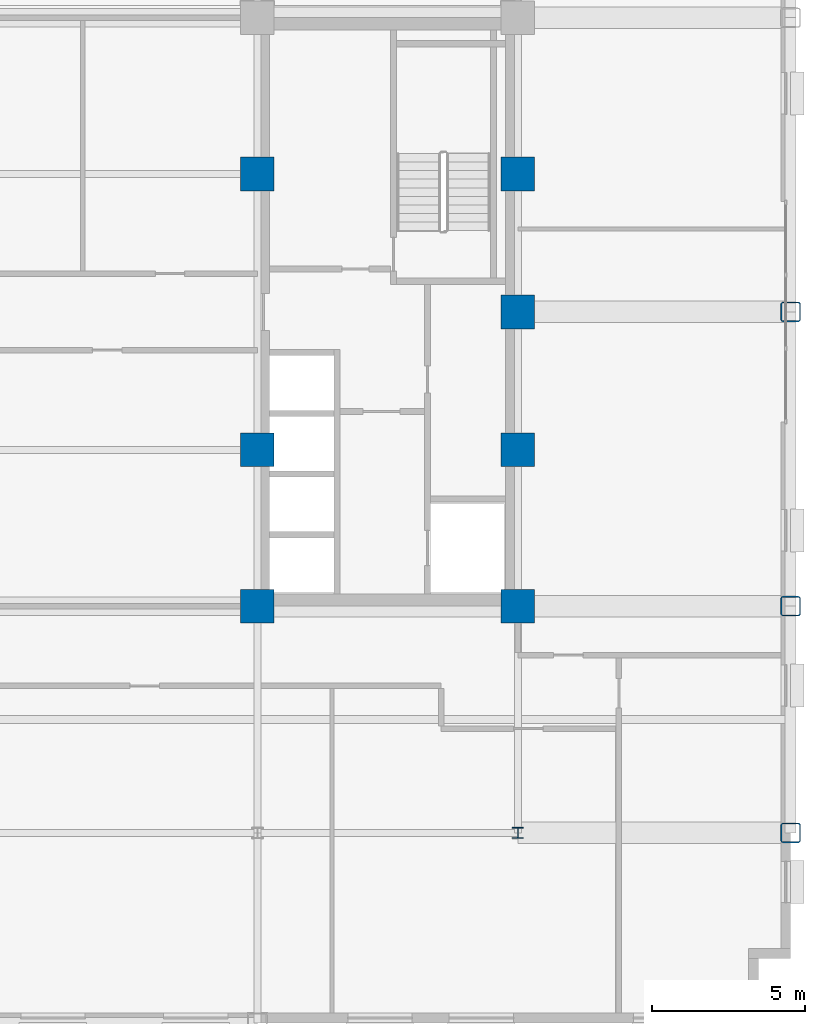
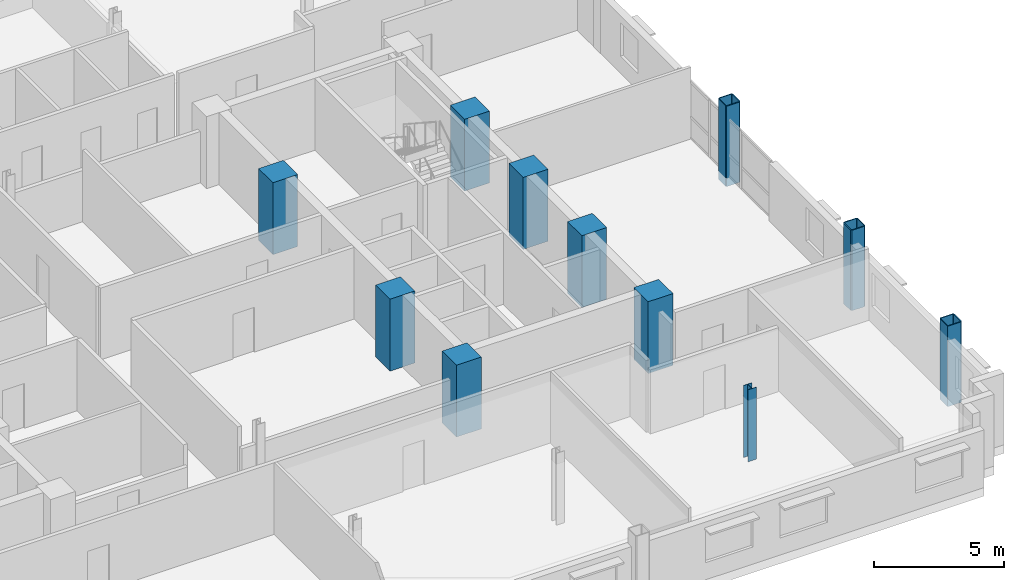
# One storey, part 2 of 16: 11 columns.
"""IFC4 building model written with IfcOpenShell, lengths in metres."""

from ifc_helpers import new_model, si_unit, direction, frame, origin, origin_2d, place, context, subcontext, project, spatial, rectangle, hollow_rectangle, i_section, extrude, material, material_profile, profile_set, type_object, element, save


model = new_model("IFC4")

# Units and contexts
model_context = context("Model", 3, precision=1e-05, world=origin(), true_north=direction((0.0, 1.0)))
body_context = subcontext(model_context, "Body", "Model", "MODEL_VIEW")
ifc_project = project(units=[si_unit("LENGTHUNIT", "METRE"), si_unit("AREAUNIT", "SQUARE_METRE"), si_unit("VOLUMEUNIT", "CUBIC_METRE"), si_unit("PLANEANGLEUNIT", "RADIAN"), si_unit("MASSUNIT", "GRAM", prefix="KILO")], contexts=[model_context])

# Site, building, storey
site_placement = place(None, origin())
site = spatial("IfcSite", under=ifc_project, at=site_placement, CompositionType="ELEMENT")
building_placement = place(site_placement, origin())
building = spatial("IfcBuilding", under=site, at=building_placement, Name="Nuvemarco Arch Tower", CompositionType="ELEMENT")
storey_placement = place(building_placement, frame((0.0, 0.0, 116.550048828125)))
storey = spatial("IfcBuildingStorey", under=building, at=storey_placement, Name="L30", CompositionType="ELEMENT", Elevation=116.550048828125)

# Columns
ifc_material_1 = material(Name="Concrete C60/75", Category="concrete")
ifc_material_profile_1 = material_profile(ifc_material_1, rectangle(XDim=1.10009765625, YDim=1.10009765625, at=origin_2d()), Name="RC-COL-1100x1100")
ifc_profile_set_1 = profile_set([ifc_material_profile_1], Name="Concrete C60/75")
column_type_1 = type_object("IfcColumnType", Name="COL-CORE-1100", PredefinedType="COLUMN", material=ifc_profile_set_1)
for number, where, z_axis, x_axis, name in (
    (1, (9.0, -9.60009765625, 0.0), (0.0, 0.0, 1.0), (1.0, 0.0, 0.0), "L30 column CC_+9.0_-9.6"),
    (2, (9.0, -4.5, 0.0), (0.0, 0.0, 1.0), (1.0, 0.0, 0.0), "L30 column CC_+9.0_-4.5"),
    (3, (9.0, 4.5, 0.0), (0.0, 0.0, 1.0), (1.0, 0.0, 0.0), "L30 column CC_+9.0_+4.5"),
    (4, (17.5, -9.60009765625, 0.0), (0.0, 0.0, 1.0), (1.0, 0.0, 0.0), "L30 column CC_+17.5_-9.6"),
    (5, (17.5, -4.5, 0.0), (0.0, 0.0, 1.0), (1.0, 0.0, 0.0), "L30 column CC_+17.5_-4.5"),
    (6, (17.5, 4.5, 0.0), (0.0, 0.0, 1.0), (1.0, 0.0, 0.0), "L30 column CC_+17.5_+4.5"),
    (7, (17.5, 0.0, 0.0), (0.0, 0.0, 1.0), (1.0, 0.0, 0.0), "L30 column CC_+17.5_+0.0"),
):
    element("IfcColumn", number, at=place(storey_placement, frame(where, z_axis=z_axis, x_axis=x_axis)), inside=storey, type_object=column_type_1, Name=name, PredefinedType="COLUMN", context=body_context, shape_type="SweptSolid", body=[
        extrude(rectangle(XDim=1.10009765625, YDim=1.10009765625, at=origin_2d()), origin(), (0.0, 0.0, 1.0), 3.369873046875),
    ])
ifc_material_2 = material(Name="Steel S355", Category="steel")
ifc_material_profile_2 = material_profile(ifc_material_2, hollow_rectangle(XDim=0.64990234375, YDim=0.64990234375, WallThickness=0.0400390625, InnerFilletRadius=0.0400390625, OuterFilletRadius=0.080078125, at=origin_2d()), Name="SHS650x650x40")
ifc_profile_set_2 = profile_set([ifc_material_profile_2], Name="Steel S355")
column_type_2 = type_object("IfcColumnType", Name="COL-EXO-650", PredefinedType="COLUMN", material=ifc_profile_set_2)
for number, where, z_axis, x_axis, name in (
    (8, (26.39990234375, -17.0, -0.400146484375), (0.0, 0.0, 1.0), (1.0, 0.0, 0.0), "L30 column CX_+26.4_-17.0"),
    (9, (26.39990234375, -9.60009765625, -0.400146484375), (0.0, 0.0, 1.0), (1.0, 0.0, 0.0), "L30 column CX_+26.4_-9.6"),
    (10, (26.39990234375, 0.0, -0.400146484375), (0.0, 0.0, 1.0), (1.0, 0.0, 0.0), "L30 column CX_+26.4_+0.0"),
):
    element("IfcColumn", number, at=place(storey_placement, frame(where, z_axis=z_axis, x_axis=x_axis)), inside=storey, type_object=column_type_2, Name=name, PredefinedType="COLUMN", context=body_context, shape_type="SweptSolid", body=[
        extrude(hollow_rectangle(XDim=0.64990234375, YDim=0.64990234375, WallThickness=0.0400390625, InnerFilletRadius=0.0400390625, OuterFilletRadius=0.080078125, at=origin_2d()), origin(), (0.0, 0.0, 1.0), 3.77001953125),
    ])
ifc_material_profile_3 = material_profile(ifc_material_2, i_section(OverallWidth=0.360107421875, OverallDepth=0.360107421875, WebThickness=0.0205078125, FlangeThickness=0.0205078125, FilletRadius=0.01806640625, at=origin_2d()), Name="HP360x174")
ifc_profile_set_3 = profile_set([ifc_material_profile_3], Name="Steel S355")
column_type_3 = type_object("IfcColumnType", Name="COL-STL-HP360", PredefinedType="COLUMN", material=ifc_profile_set_3)
column_placement = place(storey_placement, frame((17.5, -17.0, 0.0), z_axis=(0.0, 0.0, 1.0), x_axis=(1.0, 0.0, 0.0)))
element("IfcColumn", 11, at=column_placement, inside=storey, type_object=column_type_3, Name="L30 column CI_+17.5_-17.0", PredefinedType="COLUMN", context=body_context, shape_type="SweptSolid", body=[
    extrude(i_section(OverallWidth=0.360107421875, OverallDepth=0.360107421875, WebThickness=0.0205078125, FlangeThickness=0.0205078125, FilletRadius=0.01806640625, at=origin_2d()), origin(), (0.0, 0.0, 1.0), 3.369873046875),
])

save(model, "model.ifc")
